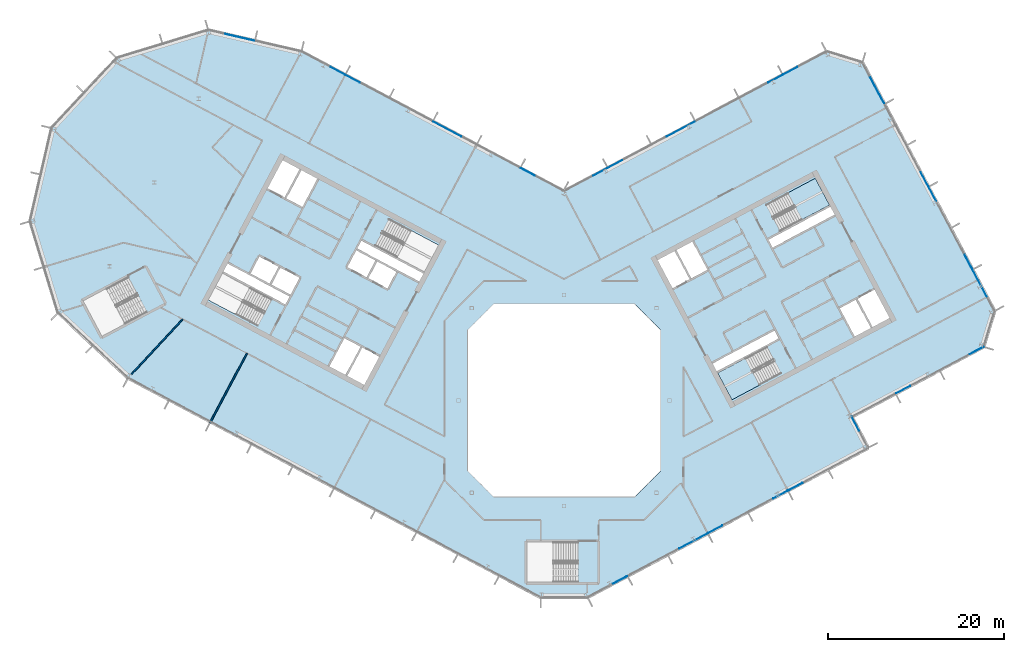
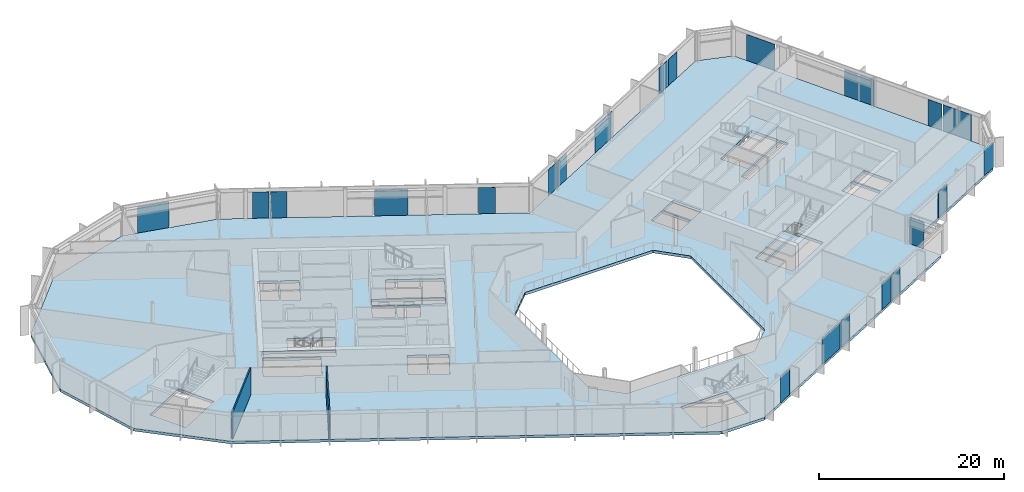
# One storey, part 12 of 27: 23 plates, 3 slabs, 2 walls, 9 elements without a shape of their own.
"""IFC4 building model written with IfcOpenShell, lengths in metres."""

from ifc_helpers import new_model, si_unit, direction, frame, frame_2d, origin, origin_2d, place, context, subcontext, project, spatial, polyline, rectangle, outline, extrude, material, layer, layer_set, type_object, element, aggregate, save


model = new_model("IFC4")

# Units and contexts
model_context = context("Model", 3, precision=1e-05, world=origin(), true_north=direction((0.0, 1.0)))
body_context = subcontext(model_context, "Body", "Model", "MODEL_VIEW")
ifc_project = project(units=[si_unit("LENGTHUNIT", "METRE"), si_unit("AREAUNIT", "SQUARE_METRE"), si_unit("VOLUMEUNIT", "CUBIC_METRE"), si_unit("PLANEANGLEUNIT", "RADIAN"), si_unit("MASSUNIT", "GRAM", prefix="KILO")], contexts=[model_context])

# Site, building, storey
site_placement = place(None, origin())
site = spatial("IfcSite", under=ifc_project, at=site_placement, CompositionType="ELEMENT")
building_placement = place(site_placement, origin())
building = spatial("IfcBuilding", under=site, at=building_placement, Name="Cormorant Relay Tower", CompositionType="ELEMENT")
storey_placement = place(building_placement, frame((0.0, 0.0, 224.699951171875)))
storey = spatial("IfcBuildingStorey", under=building, at=storey_placement, Name="L49", CompositionType="ELEMENT", Elevation=224.699951171875)

# Curtain wall, plates
ifc_material_1 = material(Name="Aluminium 6063-T6 anodised bronze", Category="aluminium")
ifc_layer_1 = layer(ifc_material_1, 0.199951171875)
ifc_layer_set_1 = layer_set([ifc_layer_1], Name="CW1 unitised bronze curtain wall with vertical fins")
curtain_wall_type = type_object("IfcCurtainWallType", Name="CW1 unitised bronze curtain wall with vertical fins", PredefinedType="NOTDEFINED", material=ifc_layer_set_1)
curtain_wall_1_placement = place(storey_placement, origin())
curtain_wall_1 = element("IfcCurtainWall", 1, at=curtain_wall_1_placement, inside=storey, type_object=curtain_wall_type, Name="CW1 curtain wall 2", PredefinedType="NOTDEFINED")
ifc_material_2 = material(Name="Tinted laminated glass", Category="glass")
ifc_layer_2 = layer(ifc_material_2, 0.0400390625)
ifc_layer_set_2 = layer_set([ifc_layer_2], Name="CW1 tinted vision panel 1800 module")
plate_type_1 = type_object("IfcPlateType", Name="CW1 tinted vision panel 1800 module", PredefinedType="CURTAIN_PANEL", material=ifc_layer_set_2)
plate_1_placement = place(storey_placement, frame((6.359130859375, -20.42529296875, 0.0), z_axis=(0.0, 0.0, 1.0), x_axis=(0.882947592859, 0.469471562786, 0.0)))
plate_1 = element("IfcPlate", 2, at=plate_1_placement, type_object=plate_type_1, Name="CW1 panel V01", PredefinedType="CURTAIN_PANEL", context=body_context, shape_type="SweptSolid", body=[
    extrude(rectangle(XDim=1.800048828125, YDim=0.0400390625, at=origin_2d()), origin(), (0.0, 0.0, 1.0), 3.449951171875),
])
plate_2_placement = place(storey_placement, frame((17.20458984375, -14.65869140625, 0.0), z_axis=(0.0, 0.0, 1.0), x_axis=(0.882947592859, 0.469471562786, 0.0)))
plate_2 = element("IfcPlate", 3, at=plate_2_placement, type_object=plate_type_1, Name="CW1 panel V04", PredefinedType="CURTAIN_PANEL", context=body_context, shape_type="SweptSolid", body=[
    extrude(rectangle(XDim=1.800048828125, YDim=0.0400390625, at=origin_2d()), origin(), (0.0, 0.0, 1.0), 3.449951171875),
])
plate_3_placement = place(storey_placement, frame((24.6064453125, -10.72314453125, 0.0), z_axis=(0.0, 0.0, 1.0), x_axis=(0.882947592859, 0.469471562786, 0.0)))
plate_3 = element("IfcPlate", 4, at=plate_3_placement, type_object=plate_type_1, Name="CW1 panel V06", PredefinedType="CURTAIN_PANEL", context=body_context, shape_type="SweptSolid", body=[
    extrude(rectangle(XDim=1.800048828125, YDim=0.0400390625, at=origin_2d()), origin(), (0.0, 0.0, 1.0), 3.449951171875),
])
plate_4_placement = place(storey_placement, frame((26.328125, -9.8076171875, 0.0), z_axis=(0.0, 0.0, 1.0), x_axis=(0.882947592859, 0.469471562786, 0.0)))
plate_4 = element("IfcPlate", 5, at=plate_4_placement, type_object=plate_type_1, Name="CW1 panel V07", PredefinedType="CURTAIN_PANEL", context=body_context, shape_type="SweptSolid", body=[
    extrude(rectangle(XDim=1.800048828125, YDim=0.0400390625, at=origin_2d()), origin(), (0.0, 0.0, 1.0), 3.449951171875),
])

# Curtain wall, plate
curtain_wall_2_placement = place(storey_placement, origin())
curtain_wall_2 = element("IfcCurtainWall", 6, at=curtain_wall_2_placement, inside=storey, type_object=curtain_wall_type, Name="CW1 curtain wall 3", PredefinedType="NOTDEFINED")
plate_5_placement = place(storey_placement, frame((33.143798828125, -2.650146484375, 0.0), z_axis=(0.0, 0.0, 1.0), x_axis=(-0.469471562786, 0.882947592859, 0.0)))
plate_5 = element("IfcPlate", 7, at=plate_5_placement, type_object=plate_type_1, Name="CW1 panel V01", PredefinedType="CURTAIN_PANEL", context=body_context, shape_type="SweptSolid", body=[
    extrude(rectangle(XDim=1.800048828125, YDim=0.0400390625, at=origin_2d()), origin(), (0.0, 0.0, 1.0), 3.449951171875),
])
aggregate(curtain_wall_2, [plate_5])

# Curtain wall, plates
curtain_wall_3_placement = place(storey_placement, origin())
curtain_wall_3 = element("IfcCurtainWall", 8, at=curtain_wall_3_placement, inside=storey, type_object=curtain_wall_type, Name="CW1 curtain wall 4", PredefinedType="NOTDEFINED")
plate_6_placement = place(storey_placement, frame((38.5771484375, 1.235595703125, 0.0), z_axis=(0.0, 0.0, 1.0), x_axis=(0.882947592859, 0.469471562786, 0.0)))
plate_6 = element("IfcPlate", 9, at=plate_6_placement, type_object=plate_type_1, Name="CW1 panel V01", PredefinedType="CURTAIN_PANEL", context=body_context, shape_type="SweptSolid", body=[
    extrude(rectangle(XDim=1.800048828125, YDim=0.0400390625, at=origin_2d()), origin(), (0.0, 0.0, 1.0), 3.449951171875),
])
plate_7_placement = place(storey_placement, frame((46.928466796875, 5.67578125, 0.0), z_axis=(0.0, 0.0, 1.0), x_axis=(0.882947592859, 0.469471562786, 0.0)))
plate_7 = element("IfcPlate", 10, at=plate_7_placement, type_object=plate_type_1, Name="CW1 panel V03", PredefinedType="CURTAIN_PANEL", context=body_context, shape_type="SweptSolid", body=[
    extrude(rectangle(XDim=1.800048828125, YDim=0.0400390625, at=origin_2d()), origin(), (0.0, 0.0, 1.0), 3.449951171875),
])
aggregate(curtain_wall_3, [plate_6, plate_7])

curtain_wall_4_placement = place(storey_placement, origin())
curtain_wall_4 = element("IfcCurtainWall", 11, at=curtain_wall_4_placement, inside=storey, type_object=curtain_wall_type, Name="CW1 curtain wall 6", PredefinedType="NOTDEFINED")
plate_8_placement = place(storey_placement, frame((46.01025390625, 15.752685546875, 0.0), z_axis=(0.0, 0.0, 1.0), x_axis=(-0.469471562786, 0.882947592859, 0.0)))
plate_8 = element("IfcPlate", 12, at=plate_8_placement, type_object=plate_type_1, Name="CW1 panel V02", PredefinedType="CURTAIN_PANEL", context=body_context, shape_type="SweptSolid", body=[
    extrude(rectangle(XDim=1.800048828125, YDim=0.0400390625, at=origin_2d()), origin(), (0.0, 0.0, 1.0), 3.449951171875),
])
plate_9_placement = place(storey_placement, frame((41.91796875, 23.448974609375, 0.0), z_axis=(0.0, 0.0, 1.0), x_axis=(-0.469471562786, 0.882947592859, 0.0)))
plate_9 = element("IfcPlate", 13, at=plate_9_placement, type_object=plate_type_1, Name="CW1 panel V04", PredefinedType="CURTAIN_PANEL", context=body_context, shape_type="SweptSolid", body=[
    extrude(rectangle(XDim=1.800048828125, YDim=0.0400390625, at=origin_2d()), origin(), (0.0, 0.0, 1.0), 3.449951171875),
])
plate_10_placement = place(storey_placement, frame((41.00244140625, 25.1708984375, 0.0), z_axis=(0.0, 0.0, 1.0), x_axis=(-0.469471562786, 0.882947592859, 0.0)))
plate_10 = element("IfcPlate", 14, at=plate_10_placement, type_object=plate_type_1, Name="CW1 panel V05", PredefinedType="CURTAIN_PANEL", context=body_context, shape_type="SweptSolid", body=[
    extrude(rectangle(XDim=1.800048828125, YDim=0.0400390625, at=origin_2d()), origin(), (0.0, 0.0, 1.0), 3.449951171875),
])

curtain_wall_5_placement = place(storey_placement, origin())
curtain_wall_5 = element("IfcCurtainWall", 15, at=curtain_wall_5_placement, inside=storey, type_object=curtain_wall_type, Name="CW1 curtain wall 8", PredefinedType="NOTDEFINED")
plate_11_placement = place(storey_placement, frame((25.746337890625, 37.49609375, 0.0), z_axis=(0.0, 0.0, 1.0), x_axis=(-0.882947592859, -0.469471562786, 0.0)))
plate_11 = element("IfcPlate", 16, at=plate_11_placement, type_object=plate_type_1, Name="CW1 panel V01", PredefinedType="CURTAIN_PANEL", context=body_context, shape_type="SweptSolid", body=[
    extrude(rectangle(XDim=1.800048828125, YDim=0.0400390625, at=origin_2d()), origin(), (0.0, 0.0, 1.0), 3.449951171875),
])
plate_12_placement = place(storey_placement, frame((24.0244140625, 36.580810546875, 0.0), z_axis=(0.0, 0.0, 1.0), x_axis=(-0.882947592859, -0.469471562786, 0.0)))
plate_12 = element("IfcPlate", 17, at=plate_12_placement, type_object=plate_type_1, Name="CW1 panel V02", PredefinedType="CURTAIN_PANEL", context=body_context, shape_type="SweptSolid", body=[
    extrude(rectangle(XDim=1.800048828125, YDim=0.0400390625, at=origin_2d()), origin(), (0.0, 0.0, 1.0), 3.449951171875),
])
plate_13_placement = place(storey_placement, frame((5.830322265625, 26.90673828125, 0.0), z_axis=(0.0, 0.0, 1.0), x_axis=(-0.882947592859, -0.469471562786, 0.0)))
plate_13 = element("IfcPlate", 18, at=plate_13_placement, type_object=plate_type_1, Name="CW1 panel V06", PredefinedType="CURTAIN_PANEL", context=body_context, shape_type="SweptSolid", body=[
    extrude(rectangle(XDim=1.800048828125, YDim=0.0400390625, at=origin_2d()), origin(), (0.0, 0.0, 1.0), 3.449951171875),
])
plate_14_placement = place(storey_placement, frame((4.108642578125, 25.9912109375, 0.0), z_axis=(0.0, 0.0, 1.0), x_axis=(-0.882947592859, -0.469471562786, 0.0)))
plate_14 = element("IfcPlate", 19, at=plate_14_placement, type_object=plate_type_1, Name="CW1 panel V07", PredefinedType="CURTAIN_PANEL", context=body_context, shape_type="SweptSolid", body=[
    extrude(rectangle(XDim=1.800048828125, YDim=0.0400390625, at=origin_2d()), origin(), (0.0, 0.0, 1.0), 3.449951171875),
])

curtain_wall_6_placement = place(storey_placement, origin())
curtain_wall_6 = element("IfcCurtainWall", 20, at=curtain_wall_6_placement, inside=storey, type_object=curtain_wall_type, Name="CW1 curtain wall 9", PredefinedType="NOTDEFINED")
plate_15_placement = place(storey_placement, frame((-4.108642578125, 25.9912109375, 0.0), z_axis=(0.0, 0.0, 1.0), x_axis=(-0.882947592859, 0.469471562786, 0.0)))
plate_15 = element("IfcPlate", 21, at=plate_15_placement, type_object=plate_type_1, Name="CW1 panel V01", PredefinedType="CURTAIN_PANEL", context=body_context, shape_type="SweptSolid", body=[
    extrude(rectangle(XDim=1.800048828125, YDim=0.0400390625, at=origin_2d()), origin(), (0.0, 0.0, 1.0), 3.449951171875),
])
plate_16_placement = place(storey_placement, frame((-24.0244140625, 36.580810546875, 0.0), z_axis=(0.0, 0.0, 1.0), x_axis=(-0.882947592859, 0.469471562786, 0.0)))
plate_16 = element("IfcPlate", 22, at=plate_16_placement, type_object=plate_type_1, Name="CW1 panel V05", PredefinedType="CURTAIN_PANEL", context=body_context, shape_type="SweptSolid", body=[
    extrude(rectangle(XDim=1.800048828125, YDim=0.0400390625, at=origin_2d()), origin(), (0.0, 0.0, 1.0), 3.449951171875),
])
plate_17_placement = place(storey_placement, frame((-25.746337890625, 37.49609375, 0.0), z_axis=(0.0, 0.0, 1.0), x_axis=(-0.882947592859, 0.469471562786, 0.0)))
plate_17 = element("IfcPlate", 23, at=plate_17_placement, type_object=plate_type_1, Name="CW1 panel V06", PredefinedType="CURTAIN_PANEL", context=body_context, shape_type="SweptSolid", body=[
    extrude(rectangle(XDim=1.800048828125, YDim=0.0400390625, at=origin_2d()), origin(), (0.0, 0.0, 1.0), 3.449951171875),
])

# Plate
ifc_material_3 = material(Name="Tinted laminated glass", Category="glass")
ifc_layer_3 = layer(ifc_material_3, 0.0400390625)
ifc_layer_set_3 = layer_set([ifc_layer_3], Name="CW1 tinted vision panel 3600 module")
plate_type_2 = type_object("IfcPlateType", Name="CW1 tinted vision panel 3600 module", PredefinedType="CURTAIN_PANEL", material=ifc_layer_set_3)
plate_18_placement = place(storey_placement, frame((14.68798828125, -15.996826171875, 0.0), z_axis=(0.0, 0.0, 1.0), x_axis=(0.882947592859, 0.469471562786, 0.0)))
plate_18 = element("IfcPlate", 24, at=plate_18_placement, type_object=plate_type_2, Name="CW1 panel V03", PredefinedType="CURTAIN_PANEL", context=body_context, shape_type="SweptSolid", body=[
    extrude(rectangle(XDim=3.60009765625, YDim=0.0400390625, at=origin_2d()), origin(), (0.0, 0.0, 1.0), 3.449951171875),
])

aggregate(curtain_wall_1, [plate_1, plate_18, plate_2, plate_3, plate_4])

plate_19_placement = place(storey_placement, frame((47.34814453125, 13.236328125, 0.0), z_axis=(0.0, 0.0, 1.0), x_axis=(-0.469471562786, 0.882947592859, 0.0)))
plate_19 = element("IfcPlate", 25, at=plate_19_placement, type_object=plate_type_2, Name="CW1 panel V01", PredefinedType="CURTAIN_PANEL", context=body_context, shape_type="SweptSolid", body=[
    extrude(rectangle(XDim=3.60009765625, YDim=0.0400390625, at=origin_2d()), origin(), (0.0, 0.0, 1.0), 3.449951171875),
])

plate_20_placement = place(storey_placement, frame((35.572265625, 35.383544921875, 0.0), z_axis=(0.0, 0.0, 1.0), x_axis=(-0.469471562786, 0.882947592859, 0.0)))
plate_20 = element("IfcPlate", 26, at=plate_20_placement, type_object=plate_type_2, Name="CW1 panel V07", PredefinedType="CURTAIN_PANEL", context=body_context, shape_type="SweptSolid", body=[
    extrude(rectangle(XDim=3.60009765625, YDim=0.0400390625, at=origin_2d()), origin(), (0.0, 0.0, 1.0), 3.449951171875),
])

aggregate(curtain_wall_4, [plate_19, plate_8, plate_9, plate_10, plate_20])

plate_21_placement = place(storey_placement, frame((13.27197265625, 30.86328125, 0.0), z_axis=(0.0, 0.0, 1.0), x_axis=(-0.882947592859, -0.469471562786, 0.0)))
plate_21 = element("IfcPlate", 27, at=plate_21_placement, type_object=plate_type_2, Name="CW1 panel V04", PredefinedType="CURTAIN_PANEL", context=body_context, shape_type="SweptSolid", body=[
    extrude(rectangle(XDim=3.60009765625, YDim=0.0400390625, at=origin_2d()), origin(), (0.0, 0.0, 1.0), 3.449951171875),
])

aggregate(curtain_wall_5, [plate_11, plate_12, plate_21, plate_13, plate_14])

plate_22_placement = place(storey_placement, frame((-13.27197265625, 30.86328125, 0.0), z_axis=(0.0, 0.0, 1.0), x_axis=(-0.882947592859, 0.469471562786, 0.0)))
plate_22 = element("IfcPlate", 28, at=plate_22_placement, type_object=plate_type_2, Name="CW1 panel V03", PredefinedType="CURTAIN_PANEL", context=body_context, shape_type="SweptSolid", body=[
    extrude(rectangle(XDim=3.60009765625, YDim=0.0400390625, at=origin_2d()), origin(), (0.0, 0.0, 1.0), 3.449951171875),
])

aggregate(curtain_wall_6, [plate_15, plate_22, plate_16, plate_17])

# Curtain wall, plate
curtain_wall_7_placement = place(storey_placement, origin())
curtain_wall_7 = element("IfcCurtainWall", 29, at=curtain_wall_7_placement, inside=storey, type_object=curtain_wall_type, Name="CW1 curtain wall 10", PredefinedType="NOTDEFINED")
plate_23_placement = place(storey_placement, frame((-36.9921875, 41.33203125, 0.0), z_axis=(0.0, 0.0, 1.0), x_axis=(-0.974370064785, 0.224951054344, 0.0)))
plate_23 = element("IfcPlate", 30, at=plate_23_placement, type_object=plate_type_2, Name="CW1 panel V01", PredefinedType="CURTAIN_PANEL", context=body_context, shape_type="SweptSolid", body=[
    extrude(rectangle(XDim=3.60009765625, YDim=0.0400390625, at=origin_2d()), origin(), (0.0, 0.0, 1.0), 3.449951171875),
])
aggregate(curtain_wall_7, [plate_23])

# Stair, slab
ifc_material_4 = material(Name="Concrete 40 MPa", Category="concrete")
stair_type = type_object("IfcStairType", Name="Exit stair 1500", PredefinedType="HALF_TURN_STAIR", material=ifc_material_4)
stair_1_placement = place(storey_placement, origin())
stair_1 = element("IfcStair", 31, at=stair_1_placement, inside=storey, type_object=stair_type, Name="L49 Stair", PredefinedType="HALF_TURN_STAIR")
ifc_material_5 = material(Name="Concrete 40 MPa", Category="concrete")
ifc_layer_4 = layer(ifc_material_5, 0.199951171875)
ifc_layer_set_4 = layer_set([ifc_layer_4], Name="Exit stair landing 200")
slab_type_1 = type_object("IfcSlabType", Name="Exit stair landing 200", PredefinedType="LANDING", material=ifc_layer_set_4)
slab_1_placement = place(storey_placement, frame((0.0, 0.0, 1.75)))
slab_1 = element("IfcSlab", 32, at=slab_1_placement, type_object=slab_type_1, Name="B1 landing 1", PredefinedType="LANDING", context=body_context, shape_type="SweptSolid", body=[
    extrude(outline(polyline([(20.614990234375, 4.78857421875), (17.48046875, 3.1220703125), (19.10009765625, 0.075927734375), (22.234619140625, 1.742431640625), (20.614990234375, 4.78857421875)])), origin(), (0.0, 0.0, 1.0), 0.199951171875),
])
aggregate(stair_1, [slab_1])

stair_2_placement = place(storey_placement, origin())
stair_2 = element("IfcStair", 33, at=stair_2_placement, inside=storey, type_object=stair_type, Name="L49 Stair", PredefinedType="HALF_TURN_STAIR")
slab_2_placement = place(storey_placement, frame((0.0, 0.0, 1.75)))
slab_2 = element("IfcSlab", 34, at=slab_2_placement, type_object=slab_type_1, Name="B2 landing 1", PredefinedType="LANDING", context=body_context, shape_type="SweptSolid", body=[
    extrude(outline(polyline([(27.064208984375, 20.562744140625), (30.19873046875, 22.2294921875), (28.5791015625, 25.275634765625), (25.444580078125, 23.60888671875), (27.064208984375, 20.562744140625)])), origin(), (0.0, 0.0, 1.0), 0.199951171875),
])
aggregate(stair_2, [slab_2])

# Slab
ifc_material_6 = material(Name="Concrete 40 MPa", Category="concrete")
ifc_layer_5 = layer(ifc_material_6, 0.360107421875)
ifc_layer_set_5 = layer_set([ifc_layer_5], Name="Flat plate 360")
slab_type_2 = type_object("IfcSlabType", Name="Flat plate 360", PredefinedType="FLOOR", material=ifc_layer_set_5)
slab_3_placement = place(storey_placement, frame((0.0, 0.0, -0.35986328125)))
element("IfcSlab", 35, at=slab_3_placement, inside=storey, type_object=slab_type_2, Name="Floor slab L49", PredefinedType="FLOOR", context=body_context, shape_type="SweptSolid", body=[
    extrude(outline(polyline([(-60.7197265625, 20.393310546875), (-58.2744140625, 30.985107421875), (-50.86083984375, 38.935302734375), (-40.465576171875, 42.11328125), (-29.873779296875, 39.668212890625), (0.0, 23.783935546875), (29.873779296875, 39.668212890625), (33.930908203125, 38.427734375), (48.9541015625, 10.17333984375), (47.713623046875, 6.1162109375), (32.70361328125, -1.864990234375), (34.581298828125, -5.396728515625), (2.648681640625, -22.37548828125), (-2.648681640625, -22.37548828125), (-49.591552734375, 2.584228515625), (-57.541748046875, 9.997802734375), (-60.7197265625, 20.393310546875)]), holes=[polyline([(11.0, -8.0), (11.0, 8.0), (8.0, 11.0), (-8.0, 11.0), (-11.0, 8.0), (-11.0, -8.0), (-8.0, -11.0), (8.0, -11.0), (11.0, -8.0)]), polyline([(-22.95458984375, 6.03271484375), (-24.668212890625, 2.81005859375), (-22.725830078125, 1.777099609375), (-21.01220703125, 5.0), (-23.04296875, 6.07958984375), (-22.95458984375, 6.03271484375)]), polyline([(-24.985595703125, 7.112548828125), (-26.69921875, 3.889892578125), (-24.844970703125, 2.90380859375), (-23.13134765625, 6.126708984375), (-23.04296875, 6.07958984375), (-24.985595703125, 7.112548828125)]), polyline([(-54.69970703125, 11.330810546875), (-52.563720703125, 7.3134765625), (-47.442626953125, 10.036376953125), (-49.57861328125, 14.0537109375), (-54.69970703125, 11.330810546875)]), polyline([(-33.240966796875, 11.502197265625), (-38.847900390625, 14.483154296875), (-40.46728515625, 11.43701171875), (-34.860595703125, 8.455810546875), (-33.240966796875, 11.502197265625)]), polyline([(-38.260986328125, 15.5869140625), (-38.75390625, 14.659912109375), (-31.690185546875, 10.904052734375), (-31.197265625, 11.8310546875), (-38.260986328125, 15.5869140625)]), polyline([(-31.103515625, 12.0078125), (-30.070556640625, 13.9501953125), (-32.278076171875, 15.123779296875), (-33.310791015625, 13.181396484375), (-31.103515625, 12.0078125)]), polyline([(-22.2880859375, 13.889404296875), (-20.080810546875, 12.7158203125), (-19.048095703125, 14.658203125), (-21.25537109375, 15.831787109375), (-22.2880859375, 13.889404296875)]), polyline([(-34.661865234375, 16.3916015625), (-35.69482421875, 14.448974609375), (-33.4873046875, 13.275390625), (-32.45458984375, 15.2177734375), (-34.661865234375, 16.3916015625)]), polyline([(-22.46484375, 13.9833984375), (-21.431884765625, 15.92578125), (-23.639404296875, 17.099609375), (-24.672119140625, 15.156982421875), (-22.46484375, 13.9833984375)]), polyline([(-31.611572265625, 22.980712890625), (-29.75732421875, 21.99462890625), (-28.043701171875, 25.217529296875), (-29.89794921875, 26.203369140625), (-31.611572265625, 22.980712890625)]), polyline([(-32.01708984375, 27.330078125), (-33.73046875, 24.107421875), (-31.7880859375, 23.074462890625), (-30.074462890625, 26.29736328125), (-32.01708984375, 27.330078125)]), polyline([(-4.199951171875, -16.125), (-4.199951171875, -20.675048828125), (1.60009765625, -20.675048828125), (1.60009765625, -16.125), (-4.199951171875, -16.125)]), polyline([(17.48046875, 3.1220703125), (19.10009765625, 0.07568359375), (24.706787109375, 3.056884765625), (23.087158203125, 6.10302734375), (17.48046875, 3.1220703125)]), polyline([(17.386474609375, 3.298583984375), (24.4501953125, 7.054443359375), (23.957275390625, 7.9814453125), (16.8935546875, 4.2255859375), (17.386474609375, 3.298583984375)]), polyline([(33.197021484375, 11.478515625), (31.3427734375, 10.49267578125), (33.056396484375, 7.27001953125), (34.910400390625, 8.255859375), (33.197021484375, 11.478515625)]), polyline([(33.37353515625, 11.572509765625), (35.087158203125, 8.349609375), (37.029541015625, 9.382568359375), (35.31591796875, 12.605224609375), (33.37353515625, 11.572509765625)]), polyline([(14.3056640625, 13.779052734375), (12.592041015625, 17.001708984375), (10.649658203125, 15.968994140625), (12.36328125, 12.74609375), (14.39404296875, 13.825927734375), (14.3056640625, 13.779052734375)]), polyline([(16.33642578125, 14.85888671875), (14.622802734375, 18.08154296875), (12.768798828125, 17.095703125), (14.482421875, 13.872802734375), (14.39404296875, 13.825927734375), (16.33642578125, 14.85888671875)]), polyline([(-16.481689453125, 13.520263671875), (-15.989013671875, 14.447509765625), (-23.052490234375, 18.203125), (-23.54541015625, 17.276123046875), (-16.481689453125, 13.520263671875)]), polyline([(-15.89501953125, 14.6240234375), (-14.275390625, 17.670166015625), (-19.882080078125, 20.6513671875), (-21.501708984375, 17.605224609375), (-15.89501953125, 14.6240234375)]), polyline([(30.78564453125, 21.125732421875), (30.29248046875, 22.052978515625), (23.22900390625, 18.297119140625), (23.721923828125, 17.3701171875), (30.78564453125, 21.125732421875)]), polyline([(24.592041015625, 19.248291015625), (30.19873046875, 22.2294921875), (28.5791015625, 25.275634765625), (22.972412109375, 22.29443359375), (24.592041015625, 19.248291015625)])]), origin(), (0.0, 0.0, 1.0), 0.35986328125),
])

# Walls
ifc_material_7 = material(Name="Gypsum board partition")
ifc_layer_6 = layer(ifc_material_7, 0.14990234375)
ifc_layer_set_6 = layer_set([ifc_layer_6], Name="Tenant partition 150")
wall_type = type_object("IfcWallType", Name="Tenant partition 150", PredefinedType="PARTITIONING", material=ifc_layer_set_6)
wall_1_placement = place(storey_placement, frame((-43.3779296875, 9.2470703125, 0.0), z_axis=(0.0, 0.0, 1.0), x_axis=(-0.681988780008, -0.731362635047, 0.0)))
element("IfcWall", 36, at=wall_1_placement, inside=storey, type_object=wall_type, Name="wall/L49/part/009", PredefinedType="PARTITIONING", context=body_context, shape_type="SweptSolid", body=[
    extrude(rectangle(XDim=8.60888671875, YDim=0.14990234375, at=frame_2d((4.304443359375, 0.0))), origin(), (0.0, 0.0, 1.0), 3.5400390625),
])
wall_2_placement = place(storey_placement, frame((-36.072021484375, 5.362060546875, 0.0), z_axis=(0.0, 0.0, 1.0), x_axis=(-0.469481145989, -0.882942497313, 0.0)))
element("IfcWall", 37, at=wall_2_placement, inside=storey, type_object=wall_type, Name="wall/L49/part/010", PredefinedType="PARTITIONING", context=body_context, shape_type="SweptSolid", body=[
    extrude(rectangle(XDim=8.99951171875, YDim=0.14990234375, at=frame_2d((4.499755859375, 0.0))), origin(), (0.0, 0.0, 1.0), 3.5400390625),
])

save(model, "model.ifc")
